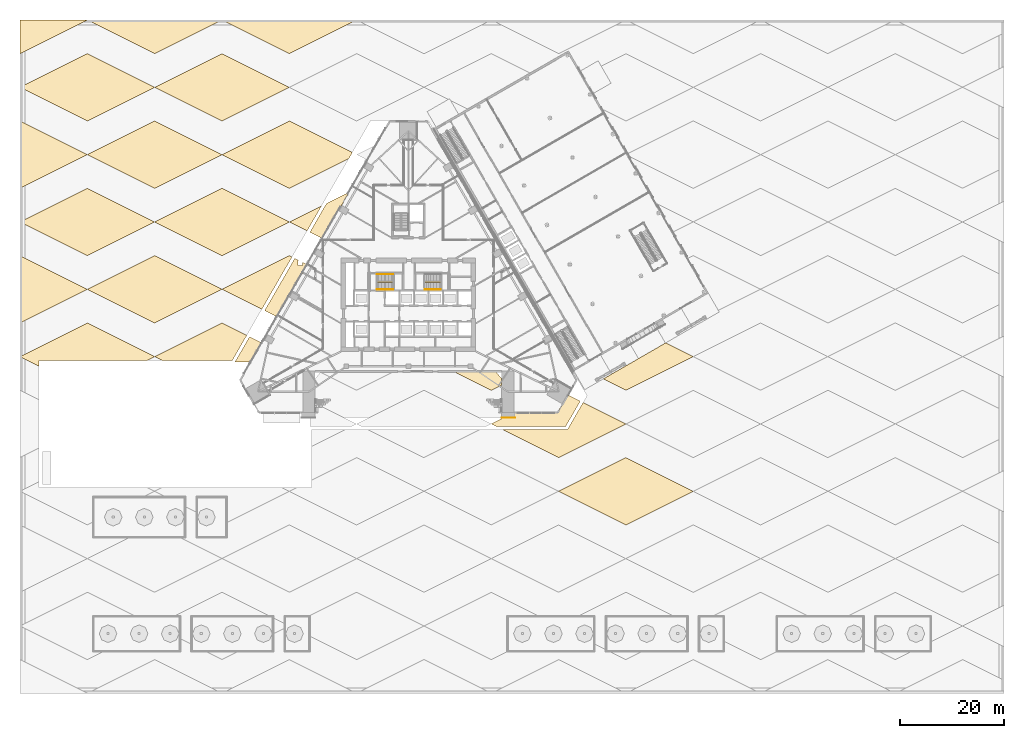
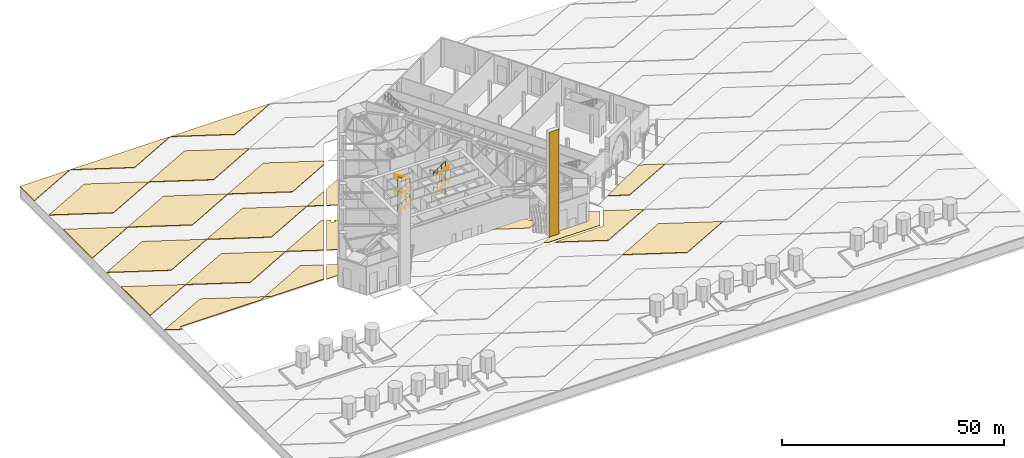
# One storey, part 26 of 34: 25 coverings, 8 railings.
"""IFC4 building model written with IfcOpenShell, lengths in metres."""

import ifcopenshell
import ifcopenshell.guid

model = None  # the IFC model being written
_history = None  # IfcOwnerHistory: only IFC2X3 demands one
_inside = {}  # id of a spatial element -> (the spatial element, [elements in it])
_under = {}  # id of a project, library or spatial element -> (it, [spatial elements below it])
_declared = {}  # id of a project -> (the project, [libraries it declares])
_typed = {}  # id of a type object -> (the type object, [elements of that type])
_made_of = {}  # id of a material, layer set ... -> (it, [elements and type objects made of it])


def new_model(schema):
    """Start an empty IFC model of exactly this schema.

    Asked for "IFC4X3", IfcOpenShell would pick the latest addendum, in which some entities
    have other attributes; the version numbers below select the first issue.
    IFC2X3 requires an IfcOwnerHistory on every rooted entity: one is made here for all.
    """
    global model, _history
    if schema == "IFC4X3":
        model = ifcopenshell.file(schema_version=(4, 3, 0, 0))
    else:
        model = ifcopenshell.file(schema=schema)
    _inside.clear()
    _under.clear()
    _declared.clear()
    _typed.clear()
    _made_of.clear()
    _history = None
    if model.schema == "IFC2X3":
        org = make("IfcOrganization", Name="unknown")
        user = make(
            "IfcPersonAndOrganization",
            ThePerson=make("IfcPerson", FamilyName="unknown"),
            TheOrganization=org,
        )
        app = make(
            "IfcApplication",
            ApplicationDeveloper=org,
            Version="unknown",
            ApplicationFullName="unknown",
            ApplicationIdentifier="unknown",
        )
        _history = make(
            "IfcOwnerHistory",
            OwningUser=user,
            OwningApplication=app,
            ChangeAction="ADDED",
            CreationDate=0,
        )
    return model


def make(cls, **values):
    """One entity of the class cls with the attributes given. An attribute that is None is left unset."""
    return model.create_entity(
        cls, **{name: value for name, value in values.items() if value is not None}
    )


def rooted(cls, **values):
    """An entity with a GlobalId (a new one), such as an element, a storey or a relation."""
    return make(cls, GlobalId=ifcopenshell.guid.new(), OwnerHistory=_history, **values)


def si_unit(unit_type, name, prefix=None):
    """IfcSIUnit, for example si_unit("LENGTHUNIT", "METRE", prefix="MILLI")."""
    return make("IfcSIUnit", UnitType=unit_type, Prefix=prefix, Name=name)


def assignment(units):
    """IfcUnitAssignment: the units of a project."""
    return None if units is None else make("IfcUnitAssignment", Units=units)


def point(xyz):
    """IfcCartesianPoint."""
    return None if xyz is None else make("IfcCartesianPoint", Coordinates=xyz)


def direction(xyz):
    """IfcDirection."""
    return None if xyz is None else make("IfcDirection", DirectionRatios=xyz)


def frame(location, z_axis=None, x_axis=None):
    """IfcAxis2Placement3D, a coordinate frame: its origin and axes. An axis left out is left unset."""
    return make(
        "IfcAxis2Placement3D",
        Location=point(location),
        Axis=direction(z_axis),
        RefDirection=direction(x_axis),
    )


def frame_2d(location, x_axis=None):
    """IfcAxis2Placement2D, a coordinate frame in the plane: its origin and x axis."""
    return make(
        "IfcAxis2Placement2D", Location=point(location), RefDirection=direction(x_axis)
    )


def origin():
    """The frame at (0, 0, 0) with its axes left unset."""
    return frame((0.0, 0.0, 0.0))


def origin_2d():
    """The frame at (0, 0) in the plane with its x axis left unset."""
    return frame_2d((0.0, 0.0))


def place(relative_to, where):
    """IfcLocalPlacement: puts the frame where relative to a parent placement (None: the world)."""
    return make(
        "IfcLocalPlacement", PlacementRelTo=relative_to, RelativePlacement=where
    )


def context(
    kind, dimensions, precision=None, world=None, true_north=None, identifier=None
):
    """IfcGeometricRepresentationContext, for example the 3D "Model" context."""
    return make(
        "IfcGeometricRepresentationContext",
        ContextIdentifier=identifier,
        ContextType=kind,
        CoordinateSpaceDimension=dimensions,
        Precision=precision,
        WorldCoordinateSystem=world,
        TrueNorth=true_north,
    )


def subcontext(parent, identifier, kind, view, scale=None):
    """IfcGeometricRepresentationSubContext, for example "Body" below "Model"."""
    return make(
        "IfcGeometricRepresentationSubContext",
        ContextIdentifier=identifier,
        ContextType=kind,
        ParentContext=parent,
        TargetScale=scale,
        TargetView=view,
    )


def project(units=None, contexts=None):
    """IfcProject with its units and contexts."""
    return rooted(
        "IfcProject",
        Name="project",
        RepresentationContexts=contexts,
        UnitsInContext=assignment(units),
    )


def spatial(cls, under=None, at=None, **own):
    """A site, building, storey or space (cls), placed at a placement, below another one or the project."""
    s = rooted(cls, ObjectPlacement=at, **own)
    if under is not None:
        _under.setdefault(under.id(), (under, []))[1].append(s)
    return s


def polyline(points):
    """IfcPolyline through the points."""
    return make("IfcPolyline", Points=[point(p) for p in points])


def profile(cls, at=None, kind="AREA", **sizes):
    """A parametric profile (cls). Its sizes go by their IFC names, for example OverallWidth=200.0."""
    return make(cls, ProfileType=kind, Position=at, **sizes)


def circle(**sizes):
    """IfcCircleProfileDef."""
    return profile("IfcCircleProfileDef", **sizes)


def outline(outer, holes=None, kind="AREA"):
    """IfcArbitraryClosedProfileDef: a profile drawn as a closed curve; with holes, ...WithVoids."""
    if holes is None:
        return make("IfcArbitraryClosedProfileDef", ProfileType=kind, OuterCurve=outer)
    return make(
        "IfcArbitraryProfileDefWithVoids",
        ProfileType=kind,
        OuterCurve=outer,
        InnerCurves=holes,
    )


def extrude(swept, where, along, depth):
    """IfcExtrudedAreaSolid: the profile swept, set in the frame where, extruded along a direction by depth."""
    return make(
        "IfcExtrudedAreaSolid",
        SweptArea=swept,
        Position=where,
        ExtrudedDirection=direction(along),
        Depth=depth,
    )


def shape(context_of_items, identifier, shape_type, items):
    """IfcShapeRepresentation: the items that make up one representation, for example the "Body"."""
    return make(
        "IfcShapeRepresentation",
        ContextOfItems=context_of_items,
        RepresentationIdentifier=identifier,
        RepresentationType=shape_type,
        Items=items,
    )


def material(Name=None, Category=None):
    """IfcMaterial."""
    return make("IfcMaterial", Name=Name, Category=Category)


def layer(
    of_material, thickness, ventilated=None, Name=None, Category=None, Priority=None
):
    """IfcMaterialLayer: one layer of a wall or slab, of a material (None: an air gap)."""
    return make(
        "IfcMaterialLayer",
        Material=of_material,
        LayerThickness=thickness,
        IsVentilated=ventilated,
        Name=Name,
        Category=Category,
        Priority=Priority,
    )


def layer_set(layers, Name=None):
    """IfcMaterialLayerSet."""
    return make("IfcMaterialLayerSet", MaterialLayers=layers, LayerSetName=Name)


def made_of(thing, what):
    """Note that an element or type object is made of a material, layer set ...; save() writes the relation."""
    if what is not None:
        _made_of.setdefault(what.id(), (what, []))[1].append(thing)
    return thing


def type_object(cls, material=None, **own):
    """A type object (cls), such as IfcWallType, which elements share."""
    return made_of(rooted(cls, **own), material)


def element(
    cls,
    number,
    at=None,
    inside=None,
    cuts=None,
    type_object=None,
    material=None,
    context=None,
    identifier="Body",
    shape_type=None,
    held_by="IfcProductDefinitionShape",
    body=None,
    shapes=None,
    **own,
):
    """One element of the class cls, such as IfcWall. Its Tag is "e" and its number.

    at: its placement. inside: the storey or other place that contains it. cuts: it is an
    opening in that element (IfcRelVoidsElement). A single representation is given by context,
    identifier, shape_type and body (its items); several are given by shapes. held_by: the class
    of the entity that holds the representations. save() writes the other relations.
    """
    e = rooted(cls, Tag="e%d" % number, ObjectPlacement=at, **own)
    if body is not None:
        shapes = [shape(context, identifier, shape_type, body)]
    if shapes is not None:
        e.Representation = make(held_by, Representations=shapes)
    if inside is not None:
        _inside.setdefault(inside.id(), (inside, []))[1].append(e)
    if cuts is not None:
        rooted(
            "IfcRelVoidsElement", RelatingBuildingElement=cuts, RelatedOpeningElement=e
        )
    if type_object is not None:
        _typed.setdefault(type_object.id(), (type_object, []))[1].append(e)
    return made_of(e, material)


def aggregate(whole, parts):
    """IfcRelAggregates: a whole, such as a stair, and the parts it consists of."""
    return rooted("IfcRelAggregates", RelatingObject=whole, RelatedObjects=parts)


def save(model, path):
    """Write the relations noted so far, then the file.

    IfcRelAggregates (storeys below a building ...), IfcRelContainedInSpatialStructure (elements
    in a storey), IfcRelDefinesByType, IfcRelAssociatesMaterial and IfcRelDeclares: one each for
    every whole, place, type object, material and project.
    """
    for whole, parts in _under.values():
        aggregate(whole, parts)
    for where, things in _inside.values():
        rooted(
            "IfcRelContainedInSpatialStructure",
            RelatedElements=things,
            RelatingStructure=where,
        )
    for kind, things in _typed.values():
        rooted("IfcRelDefinesByType", RelatedObjects=things, RelatingType=kind)
    for what, things in _made_of.values():
        rooted("IfcRelAssociatesMaterial", RelatedObjects=things, RelatingMaterial=what)
    for by, libraries in _declared.values():
        rooted("IfcRelDeclares", RelatingContext=by, RelatedDefinitions=libraries)
    model.write(path)


model = new_model("IFC4")

# Units and contexts
model_context = context("Model", 3, precision=1e-05, world=origin(), true_north=direction((0.0, 1.0)))
body_context = subcontext(model_context, "Body", "Model", "MODEL_VIEW")
ifc_project = project(units=[si_unit("LENGTHUNIT", "METRE"), si_unit("AREAUNIT", "SQUARE_METRE"), si_unit("VOLUMEUNIT", "CUBIC_METRE"), si_unit("PLANEANGLEUNIT", "RADIAN"), si_unit("MASSUNIT", "GRAM", prefix="KILO")], contexts=[model_context])

# Site, building, storey
site_placement = place(None, origin())
site = spatial("IfcSite", under=ifc_project, at=site_placement, CompositionType="ELEMENT")
building_placement = place(site_placement, origin())
building = spatial("IfcBuilding", under=site, at=building_placement, Name="Firuza Gate Tower and Library", CompositionType="ELEMENT")
storey_placement = place(building_placement, origin())
storey = spatial("IfcBuildingStorey", under=building, at=storey_placement, Name="L00", CompositionType="ELEMENT", Elevation=0.0)

# Coverings
ifc_material_1 = material(Name="Ceramic paving, deep blue")
ifc_layer_1 = layer(ifc_material_1, 0.14990234375)
ifc_layer_set_1 = layer_set([ifc_layer_1], Name="Cobalt ceramic paving 150")
covering_type_1 = type_object("IfcCoveringType", Name="Cobalt ceramic paving 150", PredefinedType="FLOORING", material=ifc_layer_set_1)
placement = place(storey_placement, frame((0.0, 0.0, -0.14990234375)))
element("IfcCovering", 1, at=placement, inside=storey, type_object=covering_type_1, Name="Plaza paving", PredefinedType="FLOORING", context=body_context, shape_type="SweptSolid", body=[
    extrude(outline(polyline([(26.0, 65.0), (39.0, 71.5), (43.786865234375, 69.1064453125), (41.01171875, 64.300048828125), (27.39990234375, 64.300048828125), (26.0, 65.0)])), origin(), (0.0, 0.0, 1.0), 0.14990234375),
])
element("IfcCovering", 2, at=placement, inside=storey, type_object=covering_type_1, Name="Plaza paving", PredefinedType="FLOORING", context=body_context, shape_type="SweptSolid", body=[
    extrude(outline(polyline([(46.743896484375, 67.628173828125), (44.649169921875, 64.0), (41.531494140625, 64.0), (44.324462890625, 68.837646484375), (46.743896484375, 67.628173828125)])), origin(), (0.0, 0.0, 1.0), 0.14990234375),
])
element("IfcCovering", 3, at=placement, inside=storey, type_object=covering_type_1, Name="Plaza paving", PredefinedType="FLOORING", context=body_context, shape_type="SweptSolid", body=[
    extrude(outline(polyline([(130.0, 65.0), (117.0, 58.5), (112.616943359375, 60.69140625), (124.68359375, 67.658203125), (130.0, 65.0)])), origin(), (0.0, 0.0, 1.0), 0.14990234375),
])
element("IfcCovering", 4, at=placement, inside=storey, type_object=covering_type_1, Name="Plaza paving", PredefinedType="FLOORING", context=body_context, shape_type="SweptSolid", body=[
    extrude(outline(polyline([(39.0, 78.0), (52.0, 84.5), (52.523193359375, 84.23828125), (46.698974609375, 74.150390625), (39.0, 78.0)])), origin(), (0.0, 0.0, 1.0), 0.14990234375),
])
element("IfcCovering", 5, at=placement, inside=storey, type_object=covering_type_1, Name="Plaza paving", PredefinedType="FLOORING", context=body_context, shape_type="SweptSolid", body=[
    extrude(outline(polyline([(47.236572265625, 73.881591796875), (53.060791015625, 83.969482421875), (53.96337890625, 83.518310546875), (53.6494140625, 83.518310546875), (53.6494140625, 82.618408203125), (54.54931640625, 82.618408203125), (54.54931640625, 83.225341796875), (55.480224609375, 82.760009765625), (49.656005859375, 72.672119140625), (47.236572265625, 73.881591796875)])), origin(), (0.0, 0.0, 1.0), 0.14990234375),
])
element("IfcCovering", 6, at=placement, inside=storey, type_object=covering_type_1, Name="Plaza paving", PredefinedType="FLOORING", context=body_context, shape_type="SweptSolid", body=[
    extrude(outline(polyline([(13.0, 97.5), (26.0, 91.0), (13.0, 84.5), (0.0, 91.0), (13.0, 97.5)])), origin(), (0.0, 0.0, 1.0), 0.14990234375),
])
element("IfcCovering", 7, at=placement, inside=storey, type_object=covering_type_1, Name="Plaza paving", PredefinedType="FLOORING", context=body_context, shape_type="SweptSolid", body=[
    extrude(outline(polyline([(26.0, 110.5), (39.0, 104.0), (26.0, 97.5), (13.0, 104.0), (26.0, 110.5)])), origin(), (0.0, 0.0, 1.0), 0.14990234375),
])
element("IfcCovering", 8, at=placement, inside=storey, type_object=covering_type_1, Name="Plaza paving", PredefinedType="FLOORING", context=body_context, shape_type="SweptSolid", body=[
    extrude(outline(polyline([(0.0, 123.5), (0.0, 130.0), (13.0, 130.0), (0.0, 123.5)])), origin(), (0.0, 0.0, 1.0), 0.14990234375),
])
ifc_material_2 = material(Name="Glazed ceramic tile, cobalt")
ifc_layer_2 = layer(ifc_material_2, 0.0400390625)
ifc_layer_set_2 = layer_set([ifc_layer_2], Name="Cobalt glazed tile cladding 40")
covering_type_2 = type_object("IfcCoveringType", Name="Cobalt glazed tile cladding 40", PredefinedType="CLADDING", material=ifc_layer_set_2)
covering_9_placement = place(storey_placement, frame((93.0, 53.17529296875, -0.14990234375), z_axis=(0.0, -1.0, 0.0), x_axis=(1.0, 0.0, 0.0)))
element("IfcCovering", 9, at=covering_9_placement, inside=storey, type_object=covering_type_2, Name="Pishtaq tile", PredefinedType="CLADDING", context=body_context, shape_type="SweptSolid", body=[
    extrude(outline(polyline([(0.0, 0.0), (2.6201171875, 0.0), (2.6201171875, 28.949951171875), (0.0, 28.949951171875), (0.0, 0.0)])), origin(), (0.0, 0.0, -1.0), 0.0400390625),
])
ifc_material_3 = material(Name="Sandstone paving", Category="masonry")
ifc_layer_3 = layer(ifc_material_3, 0.14990234375)
ifc_layer_set_3 = layer_set([ifc_layer_3], Name="Sandstone paving 150")
covering_type_3 = type_object("IfcCoveringType", Name="Sandstone paving 150", PredefinedType="FLOORING", material=ifc_layer_set_3)
element("IfcCovering", 10, at=placement, inside=storey, type_object=covering_type_3, Name="Plaza paving", PredefinedType="FLOORING", context=body_context, shape_type="SweptSolid", body=[
    extrude(outline(polyline([(91.0, 52.0), (93.430908203125, 53.21533203125), (95.39990234375, 53.21533203125), (95.39990234375, 54.199951171875), (95.430908203125, 54.21533203125), (103.800048828125, 54.21533203125), (105.764404296875, 57.617919921875), (108.18359375, 56.408203125), (105.35888671875, 51.515380859375), (91.96923828125, 51.515380859375), (91.0, 52.0)])), origin(), (0.0, 0.0, 1.0), 0.14990234375),
])
element("IfcCovering", 11, at=placement, inside=storey, type_object=covering_type_3, Name="Plaza paving", PredefinedType="FLOORING", context=body_context, shape_type="SweptSolid", body=[
    extrude(outline(polyline([(117.0, 52.0), (104.0, 45.5), (93.169189453125, 50.915283203125), (105.705322265625, 50.915283203125), (108.72119140625, 56.139404296875), (117.0, 52.0)])), origin(), (0.0, 0.0, 1.0), 0.14990234375),
])
element("IfcCovering", 12, at=placement, inside=storey, type_object=covering_type_3, Name="Plaza paving", PredefinedType="FLOORING", context=body_context, shape_type="SweptSolid", body=[
    extrude(outline(polyline([(13.0, 78.0), (0.0, 71.5), (0.0, 84.5), (13.0, 78.0)])), origin(), (0.0, 0.0, 1.0), 0.14990234375),
])
element("IfcCovering", 13, at=placement, inside=storey, type_object=covering_type_3, Name="Plaza paving", PredefinedType="FLOORING", context=body_context, shape_type="SweptSolid", body=[
    extrude(outline(polyline([(39.0, 97.5), (52.0, 91.0), (39.0, 84.5), (26.0, 91.0), (39.0, 97.5)])), origin(), (0.0, 0.0, 1.0), 0.14990234375),
])
element("IfcCovering", 14, at=placement, inside=storey, type_object=covering_type_3, Name="Plaza paving", PredefinedType="FLOORING", context=body_context, shape_type="SweptSolid", body=[
    extrude(outline(polyline([(52.0, 97.5), (39.0, 104.0), (52.0, 110.5), (64.171630859375, 104.4140625), (63.49951171875, 103.249755859375), (52.0, 97.5)])), origin(), (0.0, 0.0, 1.0), 0.14990234375),
])
element("IfcCovering", 15, at=placement, inside=storey, type_object=covering_type_3, Name="Plaza paving", PredefinedType="FLOORING", context=body_context, shape_type="SweptSolid", body=[
    extrude(outline(polyline([(13.0, 123.5), (26.0, 117.0), (13.0, 110.5), (0.0, 117.0), (13.0, 123.5)])), origin(), (0.0, 0.0, 1.0), 0.14990234375),
])
element("IfcCovering", 16, at=placement, inside=storey, type_object=covering_type_3, Name="Plaza paving", PredefinedType="FLOORING", context=body_context, shape_type="SweptSolid", body=[
    extrude(outline(polyline([(26.0, 123.5), (13.0, 130.0), (39.0, 130.0), (26.0, 123.5)])), origin(), (0.0, 0.0, 1.0), 0.14990234375),
])

# Railings
ifc_material_4 = material(Name="Steel S355", Category="steel")
railing_type_1 = type_object("IfcRailingType", Name="Stair guard 1100", PredefinedType="GUARDRAIL", material=ifc_material_4)
railing_1_placement = place(storey_placement, frame((68.93994140625, 79.340087890625, 0.166748046875)))
element("IfcRailing", 17, at=railing_1_placement, inside=storey, type_object=railing_type_1, Name="L00 ST1 stair guard 1", PredefinedType="GUARDRAIL", context=body_context, shape_type="SweptSolid", body=[
    extrude(circle(Radius=0.02392578125, at=origin_2d()), frame((0.0, 0.0, 1.076171875), z_axis=(0.859308565015, 0.0, 0.511457515432), x_axis=(0.0, 1.0, 0.0)), (0.0, 0.0, 1.0), 3.58447265625),
    extrude(circle(Radius=0.02392578125, at=origin_2d()), frame((3.080078125, 0.0, 2.9091796875), z_axis=(0.708833529934, 0.705375805398, 0.0), x_axis=(-0.705375805398, 0.708833529934, 0.0)), (0.0, 0.0, 1.0), 0.070556640625),
    extrude(circle(Radius=0.02392578125, at=origin_2d()), frame((3.130126953125, 0.0498046875, 2.9091796875), z_axis=(0.0, 1.0, 0.0), x_axis=(-1.0, 0.0, 0.0)), (0.0, 0.0, 1.0), 0.10009765625),
    extrude(circle(Radius=0.02392578125, at=origin_2d()), frame((3.130126953125, 0.14990234375, 2.9091796875), z_axis=(-0.27628659633, 0.27628659633, 0.920506074601), x_axis=(-0.707106781187, -0.707106781187, 0.0)), (0.0, 0.0, 1.0), 0.18115234375),
    extrude(circle(Radius=0.02392578125, at=origin_2d()), frame((3.080078125, 0.199951171875, 3.076171875), z_axis=(-0.859308565015, 0.0, 0.511457515432), x_axis=(0.0, -1.0, 0.0)), (0.0, 0.0, 1.0), 3.58447265625),
    extrude(circle(Radius=0.02392578125, at=origin_2d()), frame((0.0, 0.199951171875, 4.9091796875), z_axis=(-0.316227766017, -0.948683298051, 0.0), x_axis=(0.948683298051, -0.316227766017, 0.0)), (0.0, 0.0, 1.0), 0.158203125),
    extrude(circle(Radius=0.02392578125, at=origin_2d()), frame((-0.050048828125, 0.0498046875, 4.9091796875), z_axis=(0.0, 1.0, 0.0), x_axis=(-1.0, 0.0, 0.0)), (0.0, 0.0, 1.0), 0.10009765625),
    extrude(circle(Radius=0.02392578125, at=origin_2d()), frame((-0.050048828125, 0.14990234375, 4.9091796875), z_axis=(0.217849780181, -0.652486658687, 0.72581170665), x_axis=(0.948528701346, 0.316691178788, 0.0)), (0.0, 0.0, 1.0), 0.229736328125),
    extrude(circle(Radius=0.02392578125, at=origin_2d()), frame((0.0, 0.0, 5.076171875), z_axis=(0.859308565015, 0.0, 0.511457515432), x_axis=(0.0, 1.0, 0.0)), (0.0, 0.0, 1.0), 3.58447265625),
    extrude(circle(Radius=0.02392578125, at=origin_2d()), frame((3.080078125, 0.0, 6.9091796875), z_axis=(0.708833529934, 0.705375805398, 0.0), x_axis=(-0.705375805398, 0.708833529934, 0.0)), (0.0, 0.0, 1.0), 0.070556640625),
    extrude(circle(Radius=0.02392578125, at=origin_2d()), frame((3.130126953125, 0.0498046875, 6.9091796875), z_axis=(0.0, 1.0, 0.0), x_axis=(-1.0, 0.0, 0.0)), (0.0, 0.0, 1.0), 0.10009765625),
    extrude(circle(Radius=0.02392578125, at=origin_2d()), frame((3.130126953125, 0.14990234375, 6.9091796875), z_axis=(-0.27628659633, 0.27628659633, 0.920506074601), x_axis=(-0.707106781187, -0.707106781187, 0.0)), (0.0, 0.0, 1.0), 0.18115234375),
    extrude(circle(Radius=0.02392578125, at=origin_2d()), frame((3.080078125, 0.199951171875, 7.076171875), z_axis=(-0.859308565015, 0.0, 0.511457515432), x_axis=(0.0, -1.0, 0.0)), (0.0, 0.0, 1.0), 3.58447265625),
    extrude(circle(Radius=0.02392578125, at=origin_2d()), frame((0.0, 0.199951171875, 8.9091796875), z_axis=(-0.006254879592, -0.018764638776, -0.99980436327), x_axis=(0.948683298051, -0.316227766017, 0.0)), (0.0, 0.0, 1.0), 8.00146484375),
    extrude(circle(Radius=0.02392578125, at=origin_2d()), frame((-0.050048828125, 0.0498046875, 0.9091796875), z_axis=(0.0, 1.0, 0.0), x_axis=(-1.0, 0.0, 0.0)), (0.0, 0.0, 1.0), 0.10009765625),
    extrude(circle(Radius=0.02099609375, at=origin_2d()), origin(), (0.0, 0.0, 1.0), 1.052001953125),
    extrude(circle(Radius=0.02099609375, at=origin_2d()), frame((1.026611328125, 0.0, 0.611083984375)), (0.0, 0.0, 1.0), 1.052001953125),
    extrude(circle(Radius=0.02099609375, at=origin_2d()), frame((2.053466796875, 0.0, 1.22216796875)), (0.0, 0.0, 1.0), 1.052001953125),
    extrude(circle(Radius=0.02099609375, at=origin_2d()), frame((3.080078125, 0.0, 1.833251953125)), (0.0, 0.0, 1.0), 1.052001953125),
    extrude(circle(Radius=0.02099609375, at=origin_2d()), frame((3.130126953125, 0.0498046875, 1.833251953125)), (0.0, 0.0, 1.0), 1.052001953125),
    extrude(circle(Radius=0.02099609375, at=origin_2d()), frame((3.130126953125, 0.14990234375, 1.833251953125)), (0.0, 0.0, 1.0), 1.052001953125),
    extrude(circle(Radius=0.02099609375, at=origin_2d()), frame((3.080078125, 0.199951171875, 2.0)), (0.0, 0.0, 1.0), 1.052001953125),
    extrude(circle(Radius=0.02099609375, at=origin_2d()), frame((2.053466796875, 0.199951171875, 2.611083984375)), (0.0, 0.0, 1.0), 1.052001953125),
    extrude(circle(Radius=0.02099609375, at=origin_2d()), frame((1.026611328125, 0.199951171875, 3.22216796875)), (0.0, 0.0, 1.0), 1.052001953125),
    extrude(circle(Radius=0.02099609375, at=origin_2d()), frame((0.0, 0.199951171875, 3.833251953125)), (0.0, 0.0, 1.0), 1.052001953125),
    extrude(circle(Radius=0.02099609375, at=origin_2d()), frame((-0.050048828125, 0.0498046875, 3.833251953125)), (0.0, 0.0, 1.0), 1.052001953125),
    extrude(circle(Radius=0.02099609375, at=origin_2d()), frame((-0.050048828125, 0.14990234375, 3.833251953125)), (0.0, 0.0, 1.0), 1.052001953125),
    extrude(circle(Radius=0.02099609375, at=origin_2d()), frame((0.0, 0.0, 4.0)), (0.0, 0.0, 1.0), 1.052001953125),
    extrude(circle(Radius=0.02099609375, at=origin_2d()), frame((1.026611328125, 0.0, 4.611083984375)), (0.0, 0.0, 1.0), 1.052001953125),
    extrude(circle(Radius=0.02099609375, at=origin_2d()), frame((2.053466796875, 0.0, 5.22216796875)), (0.0, 0.0, 1.0), 1.052001953125),
    extrude(circle(Radius=0.02099609375, at=origin_2d()), frame((3.080078125, 0.0, 5.833251953125)), (0.0, 0.0, 1.0), 1.052001953125),
    extrude(circle(Radius=0.02099609375, at=origin_2d()), frame((3.130126953125, 0.0498046875, 5.833251953125)), (0.0, 0.0, 1.0), 1.052001953125),
    extrude(circle(Radius=0.02099609375, at=origin_2d()), frame((3.130126953125, 0.14990234375, 5.833251953125)), (0.0, 0.0, 1.0), 1.052001953125),
    extrude(circle(Radius=0.02099609375, at=origin_2d()), frame((3.080078125, 0.199951171875, 6.0)), (0.0, 0.0, 1.0), 1.052001953125),
    extrude(circle(Radius=0.02099609375, at=origin_2d()), frame((2.053466796875, 0.199951171875, 6.611083984375)), (0.0, 0.0, 1.0), 1.052001953125),
    extrude(circle(Radius=0.02099609375, at=origin_2d()), frame((1.026611328125, 0.199951171875, 7.22216796875)), (0.0, 0.0, 1.0), 1.052001953125),
    extrude(circle(Radius=0.02099609375, at=origin_2d()), frame((0.0, 0.199951171875, 7.833251953125)), (0.0, 0.0, 1.0), 1.052001953125),
    extrude(circle(Radius=0.02099609375, at=origin_2d()), frame((-0.007080078125, 0.178466796875, 6.6904296875)), (0.0, 0.0, 1.0), 1.052001953125),
    extrude(circle(Radius=0.02099609375, at=origin_2d()), frame((-0.014404296875, 0.156982421875, 5.547607421875)), (0.0, 0.0, 1.0), 1.052001953125),
    extrude(circle(Radius=0.02099609375, at=origin_2d()), frame((-0.021484375, 0.135498046875, 4.40478515625)), (0.0, 0.0, 1.0), 1.052001953125),
    extrude(circle(Radius=0.02099609375, at=origin_2d()), frame((-0.028564453125, 0.1142578125, 3.26171875)), (0.0, 0.0, 1.0), 1.052001953125),
    extrude(circle(Radius=0.02099609375, at=origin_2d()), frame((-0.03564453125, 0.0927734375, 2.118896484375)), (0.0, 0.0, 1.0), 1.052001953125),
    extrude(circle(Radius=0.02099609375, at=origin_2d()), frame((-0.04296875, 0.0712890625, 0.97607421875)), (0.0, 0.0, 1.0), 1.052001953125),
    extrude(circle(Radius=0.02099609375, at=origin_2d()), frame((-0.050048828125, 0.0498046875, -0.166748046875)), (0.0, 0.0, 1.0), 1.052001953125),
    extrude(circle(Radius=0.02099609375, at=origin_2d()), frame((-0.050048828125, 0.14990234375, -0.166748046875)), (0.0, 0.0, 1.0), 1.052001953125),
])
railing_2_placement = place(storey_placement, frame((81.260009765625, 79.5400390625, 0.166748046875)))
element("IfcRailing", 18, at=railing_2_placement, inside=storey, type_object=railing_type_1, Name="L00 ST2 stair guard 1", PredefinedType="GUARDRAIL", context=body_context, shape_type="SweptSolid", body=[
    extrude(circle(Radius=0.02392578125, at=origin_2d()), frame((0.0, 0.0, 1.076171875), z_axis=(-0.859308565015, 0.0, 0.511457515432), x_axis=(0.0, -1.0, 0.0)), (0.0, 0.0, 1.0), 3.58447265625),
    extrude(circle(Radius=0.02392578125, at=origin_2d()), frame((-3.080078125, 0.0, 2.9091796875), z_axis=(-0.707106781187, -0.707106781187, 0.0), x_axis=(0.707106781187, -0.707106781187, 0.0)), (0.0, 0.0, 1.0), 0.07080078125),
    extrude(circle(Radius=0.02392578125, at=origin_2d()), frame((-3.130126953125, -0.050048828125, 2.9091796875), z_axis=(0.0, -1.0, 0.0), x_axis=(1.0, 0.0, 0.0)), (0.0, 0.0, 1.0), 0.10009765625),
    extrude(circle(Radius=0.02392578125, at=origin_2d()), frame((-3.130126953125, -0.150146484375, 2.9091796875), z_axis=(0.276389281352, -0.275041040955, 0.920848191041), x_axis=(0.705375805398, 0.708833529934, 0.0)), (0.0, 0.0, 1.0), 0.18115234375),
    extrude(circle(Radius=0.02392578125, at=origin_2d()), frame((-3.080078125, -0.199951171875, 3.076171875), z_axis=(0.859308565015, 0.0, 0.511457515432), x_axis=(0.0, 1.0, 0.0)), (0.0, 0.0, 1.0), 3.58447265625),
    extrude(circle(Radius=0.02392578125, at=origin_2d()), frame((0.0, -0.199951171875, 4.9091796875), z_axis=(0.316691178788, 0.948528701346, 0.0), x_axis=(-0.948528701346, 0.316691178788, 0.0)), (0.0, 0.0, 1.0), 0.157958984375),
    extrude(circle(Radius=0.02392578125, at=origin_2d()), frame((0.050048828125, -0.050048828125, 4.9091796875), z_axis=(0.0, -1.0, 0.0), x_axis=(1.0, 0.0, 0.0)), (0.0, 0.0, 1.0), 0.10009765625),
    extrude(circle(Radius=0.02392578125, at=origin_2d()), frame((0.050048828125, -0.150146484375, 4.9091796875), z_axis=(-0.217698760425, 0.653096281276, 0.725308553026), x_axis=(-0.948683298051, -0.316227766017, 0.0)), (0.0, 0.0, 1.0), 0.22998046875),
    extrude(circle(Radius=0.02392578125, at=origin_2d()), frame((0.0, 0.0, 5.076171875), z_axis=(-0.859308565015, 0.0, 0.511457515432), x_axis=(0.0, -1.0, 0.0)), (0.0, 0.0, 1.0), 3.58447265625),
    extrude(circle(Radius=0.02392578125, at=origin_2d()), frame((-3.080078125, 0.0, 6.9091796875), z_axis=(-0.707106781187, -0.707106781187, 0.0), x_axis=(0.707106781187, -0.707106781187, 0.0)), (0.0, 0.0, 1.0), 0.07080078125),
    extrude(circle(Radius=0.02392578125, at=origin_2d()), frame((-3.130126953125, -0.050048828125, 6.9091796875), z_axis=(0.0, -1.0, 0.0), x_axis=(1.0, 0.0, 0.0)), (0.0, 0.0, 1.0), 0.10009765625),
    extrude(circle(Radius=0.02392578125, at=origin_2d()), frame((-3.130126953125, -0.150146484375, 6.9091796875), z_axis=(0.276389281352, -0.275041040955, 0.920848191041), x_axis=(0.705375805398, 0.708833529934, 0.0)), (0.0, 0.0, 1.0), 0.18115234375),
    extrude(circle(Radius=0.02392578125, at=origin_2d()), frame((-3.080078125, -0.199951171875, 7.076171875), z_axis=(0.859308565015, 0.0, 0.511457515432), x_axis=(0.0, 1.0, 0.0)), (0.0, 0.0, 1.0), 3.58447265625),
    extrude(circle(Radius=0.02392578125, at=origin_2d()), frame((0.0, -0.199951171875, 8.9091796875), z_axis=(0.00625488317, 0.018734137886, -0.999804935232), x_axis=(-0.948528701346, 0.316691178788, 0.0)), (0.0, 0.0, 1.0), 8.00146484375),
    extrude(circle(Radius=0.02392578125, at=origin_2d()), frame((0.050048828125, -0.050048828125, 0.9091796875), z_axis=(0.0, -1.0, 0.0), x_axis=(1.0, 0.0, 0.0)), (0.0, 0.0, 1.0), 0.10009765625),
    extrude(circle(Radius=0.02099609375, at=origin_2d()), origin(), (0.0, 0.0, 1.0), 1.052001953125),
    extrude(circle(Radius=0.02099609375, at=origin_2d()), frame((-1.026611328125, 0.0, 0.611083984375)), (0.0, 0.0, 1.0), 1.052001953125),
    extrude(circle(Radius=0.02099609375, at=origin_2d()), frame((-2.053466796875, 0.0, 1.22216796875)), (0.0, 0.0, 1.0), 1.052001953125),
    extrude(circle(Radius=0.02099609375, at=origin_2d()), frame((-3.080078125, 0.0, 1.833251953125)), (0.0, 0.0, 1.0), 1.052001953125),
    extrude(circle(Radius=0.02099609375, at=origin_2d()), frame((-3.130126953125, -0.050048828125, 1.833251953125)), (0.0, 0.0, 1.0), 1.052001953125),
    extrude(circle(Radius=0.02099609375, at=origin_2d()), frame((-3.130126953125, -0.150146484375, 1.833251953125)), (0.0, 0.0, 1.0), 1.052001953125),
    extrude(circle(Radius=0.02099609375, at=origin_2d()), frame((-3.080078125, -0.199951171875, 2.0)), (0.0, 0.0, 1.0), 1.052001953125),
    extrude(circle(Radius=0.02099609375, at=origin_2d()), frame((-2.053466796875, -0.199951171875, 2.611083984375)), (0.0, 0.0, 1.0), 1.052001953125),
    extrude(circle(Radius=0.02099609375, at=origin_2d()), frame((-1.026611328125, -0.199951171875, 3.22216796875)), (0.0, 0.0, 1.0), 1.052001953125),
    extrude(circle(Radius=0.02099609375, at=origin_2d()), frame((0.0, -0.199951171875, 3.833251953125)), (0.0, 0.0, 1.0), 1.052001953125),
    extrude(circle(Radius=0.02099609375, at=origin_2d()), frame((0.050048828125, -0.050048828125, 3.833251953125)), (0.0, 0.0, 1.0), 1.052001953125),
    extrude(circle(Radius=0.02099609375, at=origin_2d()), frame((0.050048828125, -0.150146484375, 3.833251953125)), (0.0, 0.0, 1.0), 1.052001953125),
    extrude(circle(Radius=0.02099609375, at=origin_2d()), frame((0.0, 0.0, 4.0)), (0.0, 0.0, 1.0), 1.052001953125),
    extrude(circle(Radius=0.02099609375, at=origin_2d()), frame((-1.026611328125, 0.0, 4.611083984375)), (0.0, 0.0, 1.0), 1.052001953125),
    extrude(circle(Radius=0.02099609375, at=origin_2d()), frame((-2.053466796875, 0.0, 5.22216796875)), (0.0, 0.0, 1.0), 1.052001953125),
    extrude(circle(Radius=0.02099609375, at=origin_2d()), frame((-3.080078125, 0.0, 5.833251953125)), (0.0, 0.0, 1.0), 1.052001953125),
    extrude(circle(Radius=0.02099609375, at=origin_2d()), frame((-3.130126953125, -0.050048828125, 5.833251953125)), (0.0, 0.0, 1.0), 1.052001953125),
    extrude(circle(Radius=0.02099609375, at=origin_2d()), frame((-3.130126953125, -0.150146484375, 5.833251953125)), (0.0, 0.0, 1.0), 1.052001953125),
    extrude(circle(Radius=0.02099609375, at=origin_2d()), frame((-3.080078125, -0.199951171875, 6.0)), (0.0, 0.0, 1.0), 1.052001953125),
    extrude(circle(Radius=0.02099609375, at=origin_2d()), frame((-2.053466796875, -0.199951171875, 6.611083984375)), (0.0, 0.0, 1.0), 1.052001953125),
    extrude(circle(Radius=0.02099609375, at=origin_2d()), frame((-1.026611328125, -0.199951171875, 7.22216796875)), (0.0, 0.0, 1.0), 1.052001953125),
    extrude(circle(Radius=0.02099609375, at=origin_2d()), frame((0.0, -0.199951171875, 7.833251953125)), (0.0, 0.0, 1.0), 1.052001953125),
    extrude(circle(Radius=0.02099609375, at=origin_2d()), frame((0.007080078125, -0.178466796875, 6.6904296875)), (0.0, 0.0, 1.0), 1.052001953125),
    extrude(circle(Radius=0.02099609375, at=origin_2d()), frame((0.014404296875, -0.1572265625, 5.547607421875)), (0.0, 0.0, 1.0), 1.052001953125),
    extrude(circle(Radius=0.02099609375, at=origin_2d()), frame((0.021484375, -0.1357421875, 4.40478515625)), (0.0, 0.0, 1.0), 1.052001953125),
    extrude(circle(Radius=0.02099609375, at=origin_2d()), frame((0.028564453125, -0.1142578125, 3.26171875)), (0.0, 0.0, 1.0), 1.052001953125),
    extrude(circle(Radius=0.02099609375, at=origin_2d()), frame((0.03564453125, -0.0927734375, 2.118896484375)), (0.0, 0.0, 1.0), 1.052001953125),
    extrude(circle(Radius=0.02099609375, at=origin_2d()), frame((0.04296875, -0.071533203125, 0.97607421875)), (0.0, 0.0, 1.0), 1.052001953125),
    extrude(circle(Radius=0.02099609375, at=origin_2d()), frame((0.050048828125, -0.050048828125, -0.166748046875)), (0.0, 0.0, 1.0), 1.052001953125),
    extrude(circle(Radius=0.02099609375, at=origin_2d()), frame((0.050048828125, -0.150146484375, -0.166748046875)), (0.0, 0.0, 1.0), 1.052001953125),
])
ifc_material_5 = material(Name="Steel S355", Category="steel")
railing_type_2 = type_object("IfcRailingType", Name="Stair handrail 900", PredefinedType="HANDRAIL", material=ifc_material_5)
railing_3_placement = place(storey_placement, frame((68.93994140625, 77.949951171875, 0.166748046875)))
element("IfcRailing", 19, at=railing_3_placement, inside=storey, type_object=railing_type_2, Name="L00 ST1 stair handrail 1", PredefinedType="HANDRAIL", context=body_context, shape_type="SweptSolid", body=[
    extrude(circle(Radius=0.02392578125, at=origin_2d()), frame((0.0, 0.0, 0.8759765625), z_axis=(0.859308565015, 0.0, 0.511457515432), x_axis=(0.0, 1.0, 0.0)), (0.0, 0.0, 1.0), 3.58447265625),
    extrude(circle(Radius=0.02099609375, at=origin_2d()), origin(), (0.0, 0.0, 1.0), 0.851806640625),
    extrude(circle(Radius=0.02099609375, at=origin_2d()), frame((1.026611328125, 0.0, 0.611083984375)), (0.0, 0.0, 1.0), 0.851806640625),
    extrude(circle(Radius=0.02099609375, at=origin_2d()), frame((2.053466796875, 0.0, 1.22216796875)), (0.0, 0.0, 1.0), 0.851806640625),
    extrude(circle(Radius=0.02099609375, at=origin_2d()), frame((3.080078125, 0.0, 1.833251953125)), (0.0, 0.0, 1.0), 0.851806640625),
])
railing_4_placement = place(storey_placement, frame((72.02001953125, 80.929931640625, 2.166748046875)))
element("IfcRailing", 20, at=railing_4_placement, inside=storey, type_object=railing_type_2, Name="L00 ST1 stair handrail 2", PredefinedType="HANDRAIL", context=body_context, shape_type="SweptSolid", body=[
    extrude(circle(Radius=0.02392578125, at=origin_2d()), frame((0.0, 0.0, 0.8759765625), z_axis=(-0.859308565015, 0.0, 0.511457515432), x_axis=(0.0, -1.0, 0.0)), (0.0, 0.0, 1.0), 3.58447265625),
    extrude(circle(Radius=0.02099609375, at=origin_2d()), origin(), (0.0, 0.0, 1.0), 0.851806640625),
    extrude(circle(Radius=0.02099609375, at=origin_2d()), frame((-1.026611328125, 0.0, 0.611083984375)), (0.0, 0.0, 1.0), 0.851806640625),
    extrude(circle(Radius=0.02099609375, at=origin_2d()), frame((-2.053466796875, 0.0, 1.22216796875)), (0.0, 0.0, 1.0), 0.851806640625),
    extrude(circle(Radius=0.02099609375, at=origin_2d()), frame((-3.080078125, 0.0, 1.833251953125)), (0.0, 0.0, 1.0), 0.851806640625),
])
railing_5_placement = place(storey_placement, frame((68.93994140625, 77.949951171875, 4.166748046875)))
element("IfcRailing", 21, at=railing_5_placement, inside=storey, type_object=railing_type_2, Name="L00 ST1 stair handrail 3", PredefinedType="HANDRAIL", context=body_context, shape_type="SweptSolid", body=[
    extrude(circle(Radius=0.02392578125, at=origin_2d()), frame((0.0, 0.0, 0.8759765625), z_axis=(0.859308565015, 0.0, 0.511457515432), x_axis=(0.0, 1.0, 0.0)), (0.0, 0.0, 1.0), 3.58447265625),
    extrude(circle(Radius=0.02099609375, at=origin_2d()), origin(), (0.0, 0.0, 1.0), 0.851806640625),
    extrude(circle(Radius=0.02099609375, at=origin_2d()), frame((1.026611328125, 0.0, 0.611083984375)), (0.0, 0.0, 1.0), 0.851806640625),
    extrude(circle(Radius=0.02099609375, at=origin_2d()), frame((2.053466796875, 0.0, 1.22216796875)), (0.0, 0.0, 1.0), 0.851806640625),
    extrude(circle(Radius=0.02099609375, at=origin_2d()), frame((3.080078125, 0.0, 1.833251953125)), (0.0, 0.0, 1.0), 0.851806640625),
])
railing_6_placement = place(storey_placement, frame((72.02001953125, 80.929931640625, 6.166748046875)))
element("IfcRailing", 22, at=railing_6_placement, inside=storey, type_object=railing_type_2, Name="L00 ST1 stair handrail 4", PredefinedType="HANDRAIL", context=body_context, shape_type="SweptSolid", body=[
    extrude(circle(Radius=0.02392578125, at=origin_2d()), frame((0.0, 0.0, 0.8759765625), z_axis=(-0.859308565015, 0.0, 0.511457515432), x_axis=(0.0, -1.0, 0.0)), (0.0, 0.0, 1.0), 3.58447265625),
    extrude(circle(Radius=0.02099609375, at=origin_2d()), origin(), (0.0, 0.0, 1.0), 0.851806640625),
    extrude(circle(Radius=0.02099609375, at=origin_2d()), frame((-1.026611328125, 0.0, 0.611083984375)), (0.0, 0.0, 1.0), 0.851806640625),
    extrude(circle(Radius=0.02099609375, at=origin_2d()), frame((-2.053466796875, 0.0, 1.22216796875)), (0.0, 0.0, 1.0), 0.851806640625),
    extrude(circle(Radius=0.02099609375, at=origin_2d()), frame((-3.080078125, 0.0, 1.833251953125)), (0.0, 0.0, 1.0), 0.851806640625),
])
for number, where, name in (
    (23, (78.179931640625, 77.949951171875, 2.166748046875), "L00 ST2 stair handrail 2"),
    (24, (78.179931640625, 77.949951171875, 6.166748046875), "L00 ST2 stair handrail 4"),
):
    element("IfcRailing", number, at=place(storey_placement, frame(where)), inside=storey, type_object=railing_type_2, Name=name, PredefinedType="HANDRAIL", context=body_context, shape_type="SweptSolid", body=[
        extrude(circle(Radius=0.02392578125, at=origin_2d()), frame((0.0, 0.0, 0.8759765625), z_axis=(0.859308565015, 0.0, 0.511457515432), x_axis=(0.0, 1.0, 0.0)), (0.0, 0.0, 1.0), 3.58447265625),
        extrude(circle(Radius=0.02099609375, at=origin_2d()), origin(), (0.0, 0.0, 1.0), 0.851806640625),
        extrude(circle(Radius=0.02099609375, at=origin_2d()), frame((1.026611328125, 0.0, 0.611083984375)), (0.0, 0.0, 1.0), 0.851806640625),
        extrude(circle(Radius=0.02099609375, at=origin_2d()), frame((2.053466796875, 0.0, 1.22216796875)), (0.0, 0.0, 1.0), 0.851806640625),
        extrude(circle(Radius=0.02099609375, at=origin_2d()), frame((3.080078125, 0.0, 1.833251953125)), (0.0, 0.0, 1.0), 0.851806640625),
    ])

# Coverings
ifc_material_6 = material(Name="Ceramic paving, turquoise")
ifc_layer_4 = layer(ifc_material_6, 0.14990234375)
ifc_layer_set_4 = layer_set([ifc_layer_4], Name="Turquoise ceramic paving 150")
covering_type_4 = type_object("IfcCoveringType", Name="Turquoise ceramic paving 150", PredefinedType="FLOORING", material=ifc_layer_set_4)
element("IfcCovering", 25, at=placement, inside=storey, type_object=covering_type_4, Name="Plaza paving", PredefinedType="FLOORING", context=body_context, shape_type="SweptSolid", body=[
    extrude(outline(polyline([(117.0, 45.5), (130.0, 39.0), (117.0, 32.5), (104.0, 39.0), (117.0, 45.5)])), origin(), (0.0, 0.0, 1.0), 0.14990234375),
])
element("IfcCovering", 26, at=placement, inside=storey, type_object=covering_type_4, Name="Plaza paving", PredefinedType="FLOORING", context=body_context, shape_type="SweptSolid", body=[
    extrude(outline(polyline([(0.0, 65.0), (13.0, 71.5), (26.0, 65.0), (24.60009765625, 64.300048828125), (3.699951171875, 64.300048828125), (3.699951171875, 63.14990234375), (0.0, 65.0)])), origin(), (0.0, 0.0, 1.0), 0.14990234375),
])
element("IfcCovering", 27, at=placement, inside=storey, type_object=covering_type_4, Name="Plaza paving", PredefinedType="FLOORING", context=body_context, shape_type="SweptSolid", body=[
    extrude(outline(polyline([(91.0, 58.5), (83.569091796875, 62.21533203125), (91.7724609375, 62.21533203125), (93.0, 60.744873046875), (93.0, 59.5), (91.0, 58.5)])), origin(), (0.0, 0.0, 1.0), 0.14990234375),
])
element("IfcCovering", 28, at=placement, inside=storey, type_object=covering_type_4, Name="Plaza paving", PredefinedType="FLOORING", context=body_context, shape_type="SweptSolid", body=[
    extrude(outline(polyline([(26.0, 84.5), (39.0, 78.0), (26.0, 71.5), (13.0, 78.0), (26.0, 84.5)])), origin(), (0.0, 0.0, 1.0), 0.14990234375),
])
element("IfcCovering", 29, at=placement, inside=storey, type_object=covering_type_4, Name="Plaza paving", PredefinedType="FLOORING", context=body_context, shape_type="SweptSolid", body=[
    extrude(outline(polyline([(52.0, 91.0), (58.2236328125, 94.11181640625), (55.435302734375, 89.2822265625), (52.0, 91.0)])), origin(), (0.0, 0.0, 1.0), 0.14990234375),
])
element("IfcCovering", 30, at=placement, inside=storey, type_object=covering_type_4, Name="Plaza paving", PredefinedType="FLOORING", context=body_context, shape_type="SweptSolid", body=[
    extrude(outline(polyline([(55.972900390625, 89.013427734375), (59.19775390625, 94.598876953125), (63.580810546875, 96.790283203125), (58.392333984375, 87.8037109375), (55.972900390625, 89.013427734375)])), origin(), (0.0, 0.0, 1.0), 0.14990234375),
])
element("IfcCovering", 31, at=placement, inside=storey, type_object=covering_type_4, Name="Plaza paving", PredefinedType="FLOORING", context=body_context, shape_type="SweptSolid", body=[
    extrude(outline(polyline([(13.0, 104.0), (0.0, 97.5), (0.0, 110.5), (13.0, 104.0)])), origin(), (0.0, 0.0, 1.0), 0.14990234375),
])
element("IfcCovering", 32, at=placement, inside=storey, type_object=covering_type_4, Name="Plaza paving", PredefinedType="FLOORING", context=body_context, shape_type="SweptSolid", body=[
    extrude(outline(polyline([(39.0, 123.5), (52.0, 117.0), (39.0, 110.5), (26.0, 117.0), (39.0, 123.5)])), origin(), (0.0, 0.0, 1.0), 0.14990234375),
])
element("IfcCovering", 33, at=placement, inside=storey, type_object=covering_type_4, Name="Plaza paving", PredefinedType="FLOORING", context=body_context, shape_type="SweptSolid", body=[
    extrude(outline(polyline([(52.0, 123.5), (39.0, 130.0), (65.0, 130.0), (52.0, 123.5)])), origin(), (0.0, 0.0, 1.0), 0.14990234375),
])

save(model, "model.ifc")
